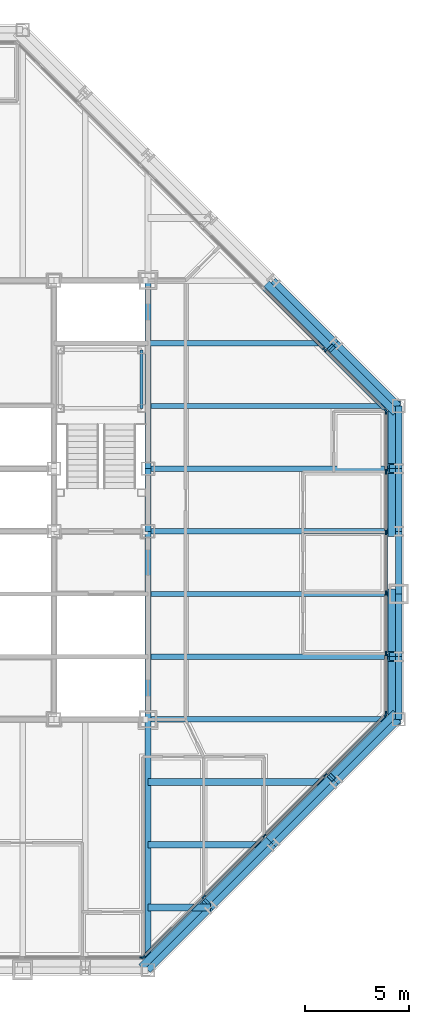
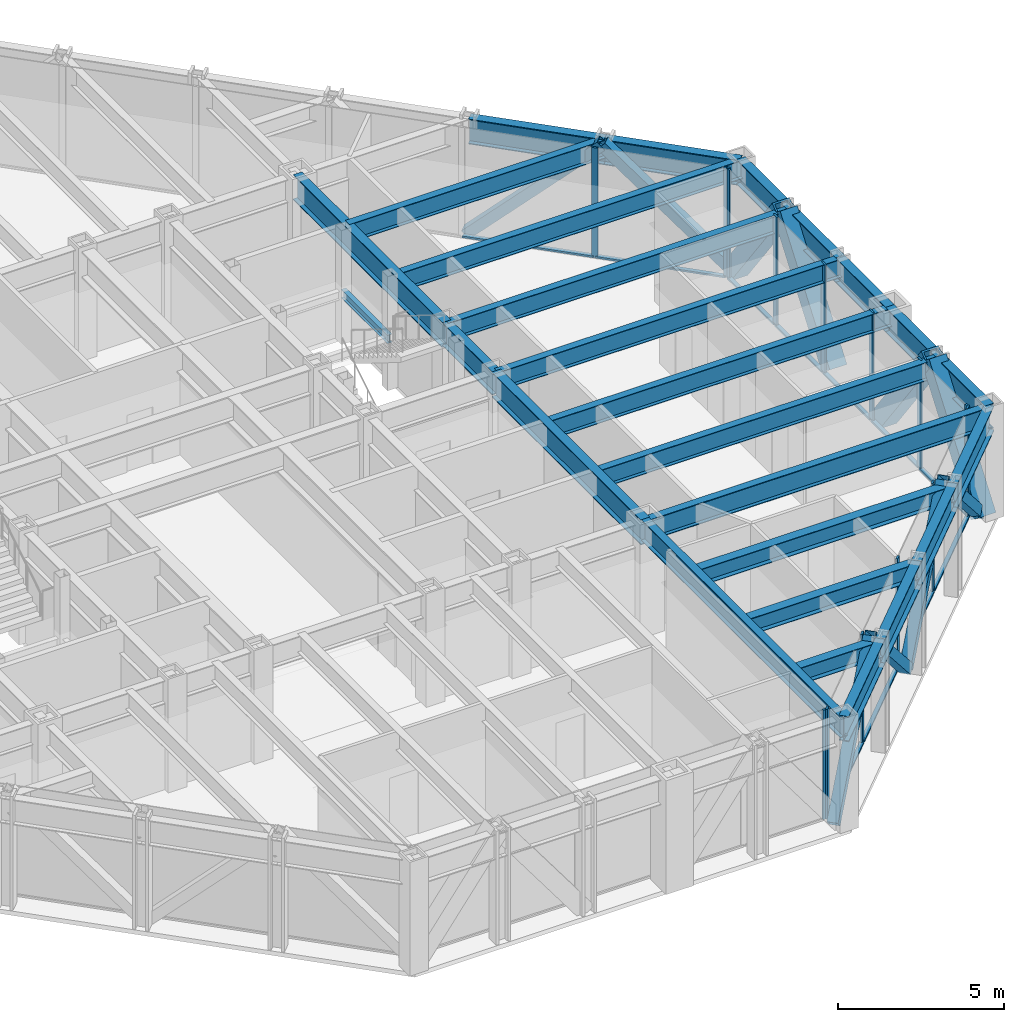
# One storey, part 7 of 16: 35 members, 26 beams, 4 elements without a shape of their own.
"""IFC4 building model written with IfcOpenShell, lengths in metres."""

from ifc_helpers import new_model, si_unit, direction, frame, origin, origin_2d, place, context, subcontext, project, spatial, rectangle, hollow_rectangle, i_section, extrude, material, layer, layer_set, material_profile, profile_set, type_object, element, aggregate, save


model = new_model("IFC4")

# Units and contexts
model_context = context("Model", 3, precision=1e-05, world=origin(), true_north=direction((0.0, 1.0)))
body_context = subcontext(model_context, "Body", "Model", "MODEL_VIEW")
ifc_project = project(units=[si_unit("LENGTHUNIT", "METRE"), si_unit("AREAUNIT", "SQUARE_METRE"), si_unit("VOLUMEUNIT", "CUBIC_METRE"), si_unit("PLANEANGLEUNIT", "RADIAN"), si_unit("MASSUNIT", "GRAM", prefix="KILO")], contexts=[model_context])

# Site, building, storey
site_placement = place(None, origin())
site = spatial("IfcSite", under=ifc_project, at=site_placement, CompositionType="ELEMENT")
building_placement = place(site_placement, origin())
building = spatial("IfcBuilding", under=site, at=building_placement, Name="Chuquiago Exchange Tower", CompositionType="ELEMENT")
storey_placement = place(building_placement, frame((0.0, 0.0, 209.699951171875)))
storey = spatial("IfcBuildingStorey", under=building, at=storey_placement, Name="L46", CompositionType="ELEMENT", Elevation=209.699951171875)

# Beams
ifc_material_1 = material(Name="Steel ASTM A992", Category="steel")
ifc_material_profile_1 = material_profile(ifc_material_1, i_section(OverallWidth=0.25390625, OverallDepth=0.683349609375, WebThickness=0.012451171875, FlangeThickness=0.018798828125, at=origin_2d()), Name="W27X94")
ifc_profile_set_1 = profile_set([ifc_material_profile_1], Name="Steel ASTM A992")
beam_type_1 = type_object("IfcBeamType", Name="B1 W27X94", PredefinedType="BEAM", material=ifc_profile_set_1)
for number, where, z_axis, x_axis, name in (
    (1, (33.0, 15.0, 3.698486328125), (1.0, 0.0, 0.0), (0.0, 1.0, 0.0), "FB-L47-infill-33_15-45_15-0"),
    (2, (33.0, 18.0, 3.698486328125), (1.0, 0.0, 0.0), (0.0, 1.0, 0.0), "FB-L47-infill-33_18-45_18-0"),
    (3, (33.0, 21.0, 3.698486328125), (1.0, 0.0, 0.0), (0.0, 1.0, 0.0), "FB-L47-infill-33_21-45_21-0"),
    (4, (33.0, 24.0, 3.698486328125), (1.0, 0.0, 0.0), (0.0, 1.0, 0.0), "FB-L47-infill-33_24-45_24-0"),
    (5, (33.0, 27.0, 3.698486328125), (1.0, 0.0, 0.0), (0.0, 1.0, 0.0), "FB-L47-infill-33_27-45_27-0"),
):
    element("IfcBeam", number, at=place(storey_placement, frame(where, z_axis=z_axis, x_axis=x_axis)), inside=storey, type_object=beam_type_1, Name=name, PredefinedType="BEAM", context=body_context, shape_type="SweptSolid", body=[
        extrude(i_section(OverallWidth=0.25390625, OverallDepth=0.683349609375, WebThickness=0.012451171875, FlangeThickness=0.018798828125, at=origin_2d()), origin(), (0.0, 0.0, 1.0), 12.0),
    ])
beam_1_placement = place(storey_placement, frame((33.0, 30.0, 3.698486328125), z_axis=(1.0, 0.0, 0.0), x_axis=(0.0, 1.0, 0.0)))
element("IfcBeam", 6, at=beam_1_placement, inside=storey, type_object=beam_type_1, Name="FB-L47-infill-33_30-42_30-0", PredefinedType="BEAM", context=body_context, shape_type="SweptSolid", body=[
    extrude(i_section(OverallWidth=0.25390625, OverallDepth=0.683349609375, WebThickness=0.012451171875, FlangeThickness=0.018798828125, at=origin_2d()), origin(), (0.0, 0.0, 1.0), 9.0),
])
ifc_material_2 = material(Name="Steel ASTM A992", Category="steel")
ifc_material_profile_2 = material_profile(ifc_material_2, i_section(OverallWidth=0.307373046875, OverallDepth=0.927001953125, WebThickness=0.01953125, FlangeThickness=0.031982421875, at=origin_2d()), Name="W36X194")
ifc_profile_set_2 = profile_set([ifc_material_profile_2], Name="Steel ASTM A992")
beam_type_2 = type_object("IfcBeamType", Name="B10 W36X194", PredefinedType="BEAM", material=ifc_profile_set_2)
for number, where, z_axis, x_axis, name in (
    (7, (33.0, 12.0, 3.57666015625), (0.0, 1.0, 0.0), (-1.0, 0.0, 0.0), "CB-L47-33_12-33_21"),
    (8, (33.0, 24.0, 3.57666015625), (0.0, 1.0, 0.0), (-1.0, 0.0, 0.0), "CB-L47-33_24-33_33"),
):
    element("IfcBeam", number, at=place(storey_placement, frame(where, z_axis=z_axis, x_axis=x_axis)), inside=storey, type_object=beam_type_2, Name=name, PredefinedType="BEAM", context=body_context, shape_type="SweptSolid", body=[
        extrude(i_section(OverallWidth=0.307373046875, OverallDepth=0.927001953125, WebThickness=0.01953125, FlangeThickness=0.031982421875, at=origin_2d()), origin(), (0.0, 0.0, 1.0), 9.0),
    ])
ifc_material_3 = material(Name="Steel ASTM A992", Category="steel")
ifc_material_profile_3 = material_profile(ifc_material_3, i_section(OverallWidth=0.3251953125, OverallDepth=0.612060546875, WebThickness=0.0126953125, FlangeThickness=0.01904296875, at=origin_2d()), Name="W24X104")
ifc_profile_set_3 = profile_set([ifc_material_profile_3], Name="Steel ASTM A992")
beam_type_3 = type_object("IfcBeamType", Name="B2 W24X104", PredefinedType="BEAM", material=ifc_profile_set_3)
beam_2_placement = place(storey_placement, frame((33.0, 3.0, 3.73388671875), z_axis=(1.0, 0.0, 0.0), x_axis=(0.0, 1.0, 0.0)))
element("IfcBeam", 9, at=beam_2_placement, inside=storey, type_object=beam_type_3, Name="FB-L47-corner-33_3-36_3-0", PredefinedType="BEAM", context=body_context, shape_type="SweptSolid", body=[
    extrude(i_section(OverallWidth=0.3251953125, OverallDepth=0.612060546875, WebThickness=0.0126953125, FlangeThickness=0.01904296875, at=origin_2d()), origin(), (0.0, 0.0, 1.0), 3.0),
])
beam_3_placement = place(storey_placement, frame((33.0, 6.0, 3.73388671875), z_axis=(1.0, 0.0, 0.0), x_axis=(0.0, 1.0, 0.0)))
element("IfcBeam", 10, at=beam_3_placement, inside=storey, type_object=beam_type_3, Name="FB-L47-corner-33_6-39_6-0", PredefinedType="BEAM", context=body_context, shape_type="SweptSolid", body=[
    extrude(i_section(OverallWidth=0.3251953125, OverallDepth=0.612060546875, WebThickness=0.0126953125, FlangeThickness=0.01904296875, at=origin_2d()), origin(), (0.0, 0.0, 1.0), 6.0),
])
beam_4_placement = place(storey_placement, frame((33.0, 9.0, 3.73388671875), z_axis=(1.0, 0.0, 0.0), x_axis=(0.0, 1.0, 0.0)))
element("IfcBeam", 11, at=beam_4_placement, inside=storey, type_object=beam_type_3, Name="FB-L47-corner-33_9-42_9-0", PredefinedType="BEAM", context=body_context, shape_type="SweptSolid", body=[
    extrude(i_section(OverallWidth=0.3251953125, OverallDepth=0.612060546875, WebThickness=0.0126953125, FlangeThickness=0.01904296875, at=origin_2d()), origin(), (0.0, 0.0, 1.0), 9.0),
])
ifc_material_4 = material(Name="Steel ASTM A992", Category="steel")
ifc_material_profile_4 = material_profile(ifc_material_4, i_section(OverallWidth=0.2919921875, OverallDepth=0.8583984375, WebThickness=0.01708984375, FlangeThickness=0.031005859375, at=origin_2d()), Name="W33X169")
ifc_profile_set_4 = profile_set([ifc_material_profile_4], Name="Steel ASTM A992")
beam_type_4 = type_object("IfcBeamType", Name="B3 W33X169", PredefinedType="BEAM", material=ifc_profile_set_4)
beam_5_placement = place(storey_placement, frame((33.0, 21.0, 3.61083984375), z_axis=(0.0, 1.0, 0.0), x_axis=(-1.0, 0.0, 0.0)))
element("IfcBeam", 12, at=beam_5_placement, inside=storey, type_object=beam_type_4, Name="CB-L47-33_21-33_24", PredefinedType="BEAM", context=body_context, shape_type="SweptSolid", body=[
    extrude(i_section(OverallWidth=0.2919921875, OverallDepth=0.8583984375, WebThickness=0.01708984375, FlangeThickness=0.031005859375, at=origin_2d()), origin(), (0.0, 0.0, 1.0), 3.0),
])

# Curtain wall, member
ifc_material_5 = material(Name="Aluminium curtain wall system", Category="aluminium")
ifc_layer_1 = layer(ifc_material_5, 0.22509765625)
ifc_layer_set_1 = layer_set([ifc_layer_1], Name="CW2 office curtain wall")
curtain_wall_type_1 = type_object("IfcCurtainWallType", Name="CW2 office curtain wall", PredefinedType="NOTDEFINED", material=ifc_layer_set_1)
curtain_wall_1_placement = place(storey_placement, origin())
curtain_wall_1 = element("IfcCurtainWall", 13, at=curtain_wall_1_placement, inside=storey, type_object=curtain_wall_type_1, Name="CW2 curtain wall L46", PredefinedType="NOTDEFINED")
ifc_material_6 = material(Name="Aluminium mullion, pale anodised", Category="aluminium")
ifc_material_profile_5 = material_profile(ifc_material_6, rectangle(XDim=0.06494140625, YDim=0.22509765625, at=origin_2d()), Name="AL 65x225")
ifc_profile_set_5 = profile_set([ifc_material_profile_5], Name="Aluminium mullion, pale anodised")
member_type_1 = type_object("IfcMemberType", Name="CW2-M mullion 65x225", PredefinedType="MULLION", material=ifc_profile_set_5)
member_1_placement = place(storey_placement, frame((32.718994140625, 0.60009765625, 0.0), z_axis=(0.0, 0.0, 1.0), x_axis=(0.0, 1.0, 0.0)))
member_1 = element("IfcMember", 14, at=member_1_placement, type_object=member_type_1, Name="CW2 mullion 6", PredefinedType="MULLION", context=body_context, shape_type="SweptSolid", body=[
    extrude(rectangle(XDim=0.06494140625, YDim=0.22509765625, at=origin_2d()), origin(), (0.0, 0.0, 1.0), 4.0400390625),
])
aggregate(curtain_wall_1, [member_1])

# Curtain wall, members
curtain_wall_2_placement = place(storey_placement, origin())
curtain_wall_2 = element("IfcCurtainWall", 15, at=curtain_wall_2_placement, inside=storey, type_object=curtain_wall_type_1, Name="CW2 curtain wall L46", PredefinedType="NOTDEFINED")
member_2_placement = place(storey_placement, frame((44.39990234375, 12.281005859375, 0.0), z_axis=(0.0, 0.0, 1.0), x_axis=(-1.0, 0.0, 0.0)))
member_2 = element("IfcMember", 16, at=member_2_placement, type_object=member_type_1, Name="CW2 mullion 1", PredefinedType="MULLION", context=body_context, shape_type="SweptSolid", body=[
    extrude(rectangle(XDim=0.06494140625, YDim=0.22509765625, at=origin_2d()), origin(), (0.0, 0.0, 1.0), 4.0400390625),
])
member_3_placement = place(storey_placement, frame((44.39990234375, 15.149169921875, 0.0), z_axis=(0.0, 0.0, 1.0), x_axis=(-1.0, 0.0, 0.0)))
member_3 = element("IfcMember", 17, at=member_3_placement, type_object=member_type_1, Name="CW2 mullion 2", PredefinedType="MULLION", context=body_context, shape_type="SweptSolid", body=[
    extrude(rectangle(XDim=0.06494140625, YDim=0.22509765625, at=origin_2d()), origin(), (0.0, 0.0, 1.0), 4.0400390625),
])
member_4_placement = place(storey_placement, frame((44.39990234375, 18.0498046875, 0.0), z_axis=(0.0, 0.0, 1.0), x_axis=(-1.0, 0.0, 0.0)))
member_4 = element("IfcMember", 18, at=member_4_placement, type_object=member_type_1, Name="CW2 mullion 3", PredefinedType="MULLION", context=body_context, shape_type="SweptSolid", body=[
    extrude(rectangle(XDim=0.06494140625, YDim=0.22509765625, at=origin_2d()), origin(), (0.0, 0.0, 1.0), 4.0400390625),
])
member_5_placement = place(storey_placement, frame((44.39990234375, 20.9501953125, 0.0), z_axis=(0.0, 0.0, 1.0), x_axis=(-1.0, 0.0, 0.0)))
member_5 = element("IfcMember", 19, at=member_5_placement, type_object=member_type_1, Name="CW2 mullion 4", PredefinedType="MULLION", context=body_context, shape_type="SweptSolid", body=[
    extrude(rectangle(XDim=0.06494140625, YDim=0.22509765625, at=origin_2d()), origin(), (0.0, 0.0, 1.0), 4.0400390625),
])
member_6_placement = place(storey_placement, frame((44.39990234375, 23.850830078125, 0.0), z_axis=(0.0, 0.0, 1.0), x_axis=(-1.0, 0.0, 0.0)))
member_6 = element("IfcMember", 20, at=member_6_placement, type_object=member_type_1, Name="CW2 mullion 5", PredefinedType="MULLION", context=body_context, shape_type="SweptSolid", body=[
    extrude(rectangle(XDim=0.06494140625, YDim=0.22509765625, at=origin_2d()), origin(), (0.0, 0.0, 1.0), 4.0400390625),
])
member_7_placement = place(storey_placement, frame((44.39990234375, 26.718994140625, 0.0), z_axis=(0.0, 0.0, 1.0), x_axis=(-1.0, 0.0, 0.0)))
member_7 = element("IfcMember", 21, at=member_7_placement, type_object=member_type_1, Name="CW2 mullion 6", PredefinedType="MULLION", context=body_context, shape_type="SweptSolid", body=[
    extrude(rectangle(XDim=0.06494140625, YDim=0.22509765625, at=origin_2d()), origin(), (0.0, 0.0, 1.0), 4.0400390625),
])
ifc_material_7 = material(Name="Aluminium transom, pale anodised", Category="aluminium")
ifc_material_profile_6 = material_profile(ifc_material_7, rectangle(XDim=0.139892578125, YDim=0.06494140625, at=origin_2d()), Name="AL 140x65")
ifc_profile_set_6 = profile_set([ifc_material_profile_6], Name="Aluminium transom, pale anodised")
member_type_2 = type_object("IfcMemberType", Name="CW2-T transom 65x140", PredefinedType="MULLION", material=ifc_profile_set_6)
member_8_placement = place(storey_placement, frame((44.39990234375, 12.3134765625, 0.032470703125), z_axis=(0.0, 1.0, 0.0), x_axis=(-1.0, 0.0, 0.0)))
member_8 = element("IfcMember", 22, at=member_8_placement, type_object=member_type_2, Name="CW2 transom 1.1", PredefinedType="MULLION", context=body_context, shape_type="SweptSolid", body=[
    extrude(rectangle(XDim=0.139892578125, YDim=0.06494140625, at=origin_2d()), origin(), (0.0, 0.0, 1.0), 2.80322265625),
])
member_9_placement = place(storey_placement, frame((44.39990234375, 15.181640625, 0.032470703125), z_axis=(0.0, 1.0, 0.0), x_axis=(-1.0, 0.0, 0.0)))
member_9 = element("IfcMember", 23, at=member_9_placement, type_object=member_type_2, Name="CW2 transom 2.1", PredefinedType="MULLION", context=body_context, shape_type="SweptSolid", body=[
    extrude(rectangle(XDim=0.139892578125, YDim=0.06494140625, at=origin_2d()), origin(), (0.0, 0.0, 1.0), 2.83544921875),
])
member_10_placement = place(storey_placement, frame((44.39990234375, 18.082275390625, 0.032470703125), z_axis=(0.0, 1.0, 0.0), x_axis=(-1.0, 0.0, 0.0)))
member_10 = element("IfcMember", 24, at=member_10_placement, type_object=member_type_2, Name="CW2 transom 3.1", PredefinedType="MULLION", context=body_context, shape_type="SweptSolid", body=[
    extrude(rectangle(XDim=0.139892578125, YDim=0.06494140625, at=origin_2d()), origin(), (0.0, 0.0, 1.0), 2.83544921875),
])
member_11_placement = place(storey_placement, frame((44.39990234375, 20.98291015625, 0.032470703125), z_axis=(0.0, 1.0, 0.0), x_axis=(-1.0, 0.0, 0.0)))
member_11 = element("IfcMember", 25, at=member_11_placement, type_object=member_type_2, Name="CW2 transom 4.1", PredefinedType="MULLION", context=body_context, shape_type="SweptSolid", body=[
    extrude(rectangle(XDim=0.139892578125, YDim=0.06494140625, at=origin_2d()), origin(), (0.0, 0.0, 1.0), 2.83544921875),
])
member_12_placement = place(storey_placement, frame((44.39990234375, 23.88330078125, 0.032470703125), z_axis=(0.0, 1.0, 0.0), x_axis=(-1.0, 0.0, 0.0)))
member_12 = element("IfcMember", 26, at=member_12_placement, type_object=member_type_2, Name="CW2 transom 5.1", PredefinedType="MULLION", context=body_context, shape_type="SweptSolid", body=[
    extrude(rectangle(XDim=0.139892578125, YDim=0.06494140625, at=origin_2d()), origin(), (0.0, 0.0, 1.0), 2.80322265625),
])
aggregate(curtain_wall_2, [member_2, member_3, member_4, member_5, member_6, member_7, member_8, member_9, member_10, member_11, member_12])

ifc_material_8 = material(Name="Aluminium curtain wall system", Category="aluminium")
ifc_layer_2 = layer(ifc_material_8, 0.199951171875)
ifc_layer_set_2 = layer_set([ifc_layer_2], Name="CW3 facet curtain wall")
curtain_wall_type_2 = type_object("IfcCurtainWallType", Name="CW3 facet curtain wall", PredefinedType="NOTDEFINED", material=ifc_layer_set_2)
curtain_wall_3_placement = place(storey_placement, origin())
curtain_wall_3 = element("IfcCurtainWall", 27, at=curtain_wall_3_placement, inside=storey, type_object=curtain_wall_type_2, Name="CW3 curtain wall L46", PredefinedType="NOTDEFINED")
ifc_material_9 = material(Name="Aluminium mullion, pale anodised", Category="aluminium")
ifc_material_profile_7 = material_profile(ifc_material_9, rectangle(XDim=0.06494140625, YDim=0.199951171875, at=origin_2d()), Name="AL 65x200")
ifc_profile_set_7 = profile_set([ifc_material_profile_7], Name="Aluminium mullion, pale anodised")
member_type_3 = type_object("IfcMemberType", Name="CW3-M mullion 65x200", PredefinedType="MULLION", material=ifc_profile_set_7)
member_13_placement = place(storey_placement, frame((32.7744140625, 0.623046875, 0.0), z_axis=(0.0, 0.0, 1.0), x_axis=(-0.707106781187, 0.707106781187, 0.0)))
member_13 = element("IfcMember", 28, at=member_13_placement, type_object=member_type_3, Name="CW3 mullion 1", PredefinedType="MULLION", context=body_context, shape_type="SweptSolid", body=[
    extrude(rectangle(XDim=0.06494140625, YDim=0.199951171875, at=origin_2d()), origin(), (0.0, 0.0, 1.0), 4.0400390625),
])
member_14_placement = place(storey_placement, frame((35.66357421875, 3.51220703125, 0.0), z_axis=(0.0, 0.0, 1.0), x_axis=(-0.707106781187, 0.707106781187, 0.0)))
member_14 = element("IfcMember", 29, at=member_14_placement, type_object=member_type_3, Name="CW3 mullion 2", PredefinedType="MULLION", context=body_context, shape_type="SweptSolid", body=[
    extrude(rectangle(XDim=0.06494140625, YDim=0.199951171875, at=origin_2d()), origin(), (0.0, 0.0, 1.0), 4.0400390625),
])
member_15_placement = place(storey_placement, frame((38.57568359375, 6.42431640625, 0.0), z_axis=(0.0, 0.0, 1.0), x_axis=(-0.707106781187, 0.707106781187, 0.0)))
member_15 = element("IfcMember", 30, at=member_15_placement, type_object=member_type_3, Name="CW3 mullion 3", PredefinedType="MULLION", context=body_context, shape_type="SweptSolid", body=[
    extrude(rectangle(XDim=0.06494140625, YDim=0.199951171875, at=origin_2d()), origin(), (0.0, 0.0, 1.0), 4.0400390625),
])
member_16_placement = place(storey_placement, frame((41.48779296875, 9.33642578125, 0.0), z_axis=(0.0, 0.0, 1.0), x_axis=(-0.707106781187, 0.707106781187, 0.0)))
member_16 = element("IfcMember", 31, at=member_16_placement, type_object=member_type_3, Name="CW3 mullion 4", PredefinedType="MULLION", context=body_context, shape_type="SweptSolid", body=[
    extrude(rectangle(XDim=0.06494140625, YDim=0.199951171875, at=origin_2d()), origin(), (0.0, 0.0, 1.0), 4.0400390625),
])
member_17_placement = place(storey_placement, frame((44.376953125, 12.2255859375, 0.0), z_axis=(0.0, 0.0, 1.0), x_axis=(-0.707106781187, 0.707106781187, 0.0)))
member_17 = element("IfcMember", 32, at=member_17_placement, type_object=member_type_3, Name="CW3 mullion 5", PredefinedType="MULLION", context=body_context, shape_type="SweptSolid", body=[
    extrude(rectangle(XDim=0.06494140625, YDim=0.199951171875, at=origin_2d()), origin(), (0.0, 0.0, 1.0), 4.0400390625),
])

curtain_wall_4_placement = place(storey_placement, origin())
curtain_wall_4 = element("IfcCurtainWall", 33, at=curtain_wall_4_placement, inside=storey, type_object=curtain_wall_type_2, Name="CW3 curtain wall L46", PredefinedType="NOTDEFINED")
member_18_placement = place(storey_placement, frame((44.376953125, 26.7744140625, 0.0), z_axis=(0.0, 0.0, 1.0), x_axis=(-0.707106781187, -0.707106781187, 0.0)))
member_18 = element("IfcMember", 34, at=member_18_placement, type_object=member_type_3, Name="CW3 mullion 1", PredefinedType="MULLION", context=body_context, shape_type="SweptSolid", body=[
    extrude(rectangle(XDim=0.06494140625, YDim=0.199951171875, at=origin_2d()), origin(), (0.0, 0.0, 1.0), 4.0400390625),
])
member_19_placement = place(storey_placement, frame((41.45849609375, 29.69287109375, 0.0), z_axis=(0.0, 0.0, 1.0), x_axis=(-0.707106781187, -0.707106781187, 0.0)))
member_19 = element("IfcMember", 35, at=member_19_placement, type_object=member_type_3, Name="CW3 mullion 2", PredefinedType="MULLION", context=body_context, shape_type="SweptSolid", body=[
    extrude(rectangle(XDim=0.06494140625, YDim=0.199951171875, at=origin_2d()), origin(), (0.0, 0.0, 1.0), 4.0400390625),
])

# Member
ifc_material_10 = material(Name="Aluminium transom, pale anodised", Category="aluminium")
ifc_material_profile_8 = material_profile(ifc_material_10, rectangle(XDim=0.139892578125, YDim=0.06494140625, at=origin_2d()), Name="AL 140x65")
ifc_profile_set_8 = profile_set([ifc_material_profile_8], Name="Aluminium transom, pale anodised")
member_type_4 = type_object("IfcMemberType", Name="CW3-T transom 65x140", PredefinedType="MULLION", material=ifc_profile_set_8)
member_20_placement = place(storey_placement, frame((32.79736328125, 0.64599609375, 0.032470703125), z_axis=(0.707106781187, 0.707106781187, 0.0), x_axis=(-0.707106781187, 0.707106781187, 0.0)))
member_20 = element("IfcMember", 36, at=member_20_placement, type_object=member_type_4, Name="CW3 transom 1.1", PredefinedType="MULLION", context=body_context, shape_type="SweptSolid", body=[
    extrude(rectangle(XDim=0.139892578125, YDim=0.06494140625, at=origin_2d()), origin(), (0.0, 0.0, 1.0), 4.02099609375),
])

member_21_placement = place(storey_placement, frame((35.6865234375, 3.53515625, 0.032470703125), z_axis=(0.707106781187, 0.707106781187, 0.0), x_axis=(-0.707106781187, 0.707106781187, 0.0)))
member_21 = element("IfcMember", 37, at=member_21_placement, type_object=member_type_4, Name="CW3 transom 2.1", PredefinedType="MULLION", context=body_context, shape_type="SweptSolid", body=[
    extrude(rectangle(XDim=0.139892578125, YDim=0.06494140625, at=origin_2d()), origin(), (0.0, 0.0, 1.0), 4.053466796875),
])

member_22_placement = place(storey_placement, frame((38.5986328125, 6.447265625, 0.032470703125), z_axis=(0.707106781187, 0.707106781187, 0.0), x_axis=(-0.707106781187, 0.707106781187, 0.0)))
member_22 = element("IfcMember", 38, at=member_22_placement, type_object=member_type_4, Name="CW3 transom 3.1", PredefinedType="MULLION", context=body_context, shape_type="SweptSolid", body=[
    extrude(rectangle(XDim=0.139892578125, YDim=0.06494140625, at=origin_2d()), origin(), (0.0, 0.0, 1.0), 4.053466796875),
])

member_23_placement = place(storey_placement, frame((41.5107421875, 9.359375, 0.032470703125), z_axis=(0.707106781187, 0.707106781187, 0.0), x_axis=(-0.707106781187, 0.707106781187, 0.0)))
member_23 = element("IfcMember", 39, at=member_23_placement, type_object=member_type_4, Name="CW3 transom 4.1", PredefinedType="MULLION", context=body_context, shape_type="SweptSolid", body=[
    extrude(rectangle(XDim=0.139892578125, YDim=0.06494140625, at=origin_2d()), origin(), (0.0, 0.0, 1.0), 4.02099609375),
])

aggregate(curtain_wall_3, [member_13, member_14, member_15, member_16, member_17, member_20, member_21, member_22, member_23])

member_24_placement = place(storey_placement, frame((44.35400390625, 26.79736328125, 0.032470703125), z_axis=(-0.707106781187, 0.707106781187, 0.0), x_axis=(-0.707106781187, -0.707106781187, 0.0)))
member_24 = element("IfcMember", 40, at=member_24_placement, type_object=member_type_4, Name="CW3 transom 1.1", PredefinedType="MULLION", context=body_context, shape_type="SweptSolid", body=[
    extrude(rectangle(XDim=0.139892578125, YDim=0.06494140625, at=origin_2d()), origin(), (0.0, 0.0, 1.0), 4.0625),
])

member_25_placement = place(storey_placement, frame((41.435546875, 29.7158203125, 0.032470703125), z_axis=(-0.707106781187, 0.707106781187, 0.0), x_axis=(-0.707106781187, -0.707106781187, 0.0)))
member_25 = element("IfcMember", 41, at=member_25_placement, type_object=member_type_4, Name="CW3 transom 2.1", PredefinedType="MULLION", context=body_context, shape_type="SweptSolid", body=[
    extrude(rectangle(XDim=0.139892578125, YDim=0.06494140625, at=origin_2d()), origin(), (0.0, 0.0, 1.0), 4.094970703125),
])

aggregate(curtain_wall_4, [member_18, member_19, member_24, member_25])

# Beams
ifc_material_11 = material(Name="Steel ASTM A992", Category="steel")
ifc_material_profile_9 = material_profile(ifc_material_11, i_section(OverallWidth=0.2666015625, OverallDepth=0.76953125, WebThickness=0.015625, FlangeThickness=0.025390625, at=origin_2d()), Name="W30X132")
ifc_profile_set_9 = profile_set([ifc_material_profile_9], Name="Steel ASTM A992")
beam_type_5 = type_object("IfcBeamType", Name="G1 W30X132", PredefinedType="BEAM", material=ifc_profile_set_9)
for number, where, z_axis, x_axis, name in (
    (42, (33.0, 12.0, 3.6552734375), (0.0, -1.0, 0.0), (1.0, 0.0, 0.0), "FB-L47-girder-33_12-33_-0-0"),
    (43, (33.0, 12.0, 3.6552734375), (1.0, 0.0, 0.0), (0.0, 1.0, 0.0), "FB-L47-girder-33_12-45_12-0"),
):
    element("IfcBeam", number, at=place(storey_placement, frame(where, z_axis=z_axis, x_axis=x_axis)), inside=storey, type_object=beam_type_5, Name=name, PredefinedType="BEAM", context=body_context, shape_type="SweptSolid", body=[
        extrude(i_section(OverallWidth=0.2666015625, OverallDepth=0.76953125, WebThickness=0.015625, FlangeThickness=0.025390625, at=origin_2d()), origin(), (0.0, 0.0, 1.0), 12.0),
    ])

# Members
ifc_material_12 = material(Name="Steel ASTM A500 Grade C", Category="steel")
ifc_material_profile_10 = material_profile(ifc_material_12, hollow_rectangle(XDim=0.355712890625, YDim=0.355712890625, WallThickness=0.0146484375, at=origin_2d()), Name="HSS14X14X5/8")
ifc_profile_set_10 = profile_set([ifc_material_profile_10], Name="Steel ASTM A500 Grade C")
member_type_5 = type_object("IfcMemberType", Name="LB2 HSS14X14X5/8", PredefinedType="BRACE", material=ifc_profile_set_10)
for number, where, z_axis, x_axis, name in (
    (44, (32.7685546875, 0.2314453125, 0.0), (0.512077265487, 0.512077265487, 0.689604051861), (-0.707106781187, 0.707106781187, 0.0), "LB-L46-33_0-36_3"),
    (45, (38.7685546875, 6.2314453125, 0.0), (-0.512077265487, -0.512077265487, 0.689604051861), (0.707106781187, -0.707106781187, 0.0), "LB-L46-36_3-39_6"),
    (46, (38.7685546875, 6.2314453125, 0.0), (0.512077265487, 0.512077265487, 0.689604051861), (-0.707106781187, 0.707106781187, 0.0), "LB-L46-39_6-42_9"),
    (47, (44.7685546875, 12.2314453125, 0.0), (-0.512077265487, -0.512077265487, 0.689604051861), (0.707106781187, -0.707106781187, 0.0), "LB-L46-42_9-45_12"),
    (48, (44.7685546875, 26.7685546875, 0.0), (-0.512077265487, 0.512077265487, 0.689604051861), (-0.707106781187, -0.707106781187, 0.0), "LB-L46-45_27-42_30"),
    (49, (38.7685546875, 32.7685546875, 0.0), (0.512077265487, -0.512077265487, 0.689604051861), (0.707106781187, 0.707106781187, 0.0), "LB-L46-42_30-39_33"),
):
    element("IfcMember", number, at=place(storey_placement, frame(where, z_axis=z_axis, x_axis=x_axis)), inside=storey, type_object=member_type_5, Name=name, PredefinedType="BRACE", context=body_context, shape_type="SweptSolid", body=[
        extrude(hollow_rectangle(XDim=0.355712890625, YDim=0.355712890625, WallThickness=0.0146484375, at=origin_2d()), origin(), (0.0, 0.0, 1.0), 5.8583984375),
    ])

# Beam
ifc_material_13 = material(Name="Steel ASTM A992", Category="steel")
ifc_material_profile_11 = material_profile(ifc_material_13, i_section(OverallWidth=0.164794921875, OverallDepth=0.309814453125, WebThickness=0.005859375, FlangeThickness=0.009765625, at=origin_2d()), Name="W12X26")
ifc_profile_set_11 = profile_set([ifc_material_profile_11], Name="Steel ASTM A992")
beam_type_6 = type_object("IfcBeamType", Name="LS1 W12X26", PredefinedType="BEAM", material=ifc_profile_set_11)
beam_6_placement = place(storey_placement, frame((32.68994140625, 26.889892578125, 1.7451171875), z_axis=(0.0, 1.0, 0.0), x_axis=(-1.0, 0.0, 0.0)))
element("IfcBeam", 50, at=beam_6_placement, inside=storey, type_object=beam_type_6, Name="Stair ST2 L46 landing 1 stringer", PredefinedType="BEAM", context=body_context, shape_type="SweptSolid", body=[
    extrude(i_section(OverallWidth=0.164794921875, OverallDepth=0.309814453125, WebThickness=0.005859375, FlangeThickness=0.009765625, at=origin_2d()), origin(), (0.0, 0.0, 1.0), 2.800048828125),
])

# Members
ifc_material_14 = material(Name="Steel ASTM A572 Grade 50", Category="steel")
ifc_material_profile_12 = material_profile(ifc_material_14, hollow_rectangle(XDim=0.60009765625, YDim=0.60009765625, WallThickness=0.06005859375, at=origin_2d()), Name="BOX600X600X60")
ifc_profile_set_12 = profile_set([ifc_material_profile_12], Name="Steel ASTM A572 Grade 50")
member_type_6 = type_object("IfcMemberType", Name="MB3 BOX600X600X60", PredefinedType="BRACE", material=ifc_profile_set_12)
for number, where, z_axis, x_axis, name in (
    (51, (44.794921875, 12.0, 0.0), (0.0, 0.596173923302, 0.802855312728), (-1.0, 0.0, 0.0), "Mega diagonal L46 E face"),
    (52, (44.794921875, 18.0, 0.0), (0.0, -0.596173923302, 0.802855312728), (1.0, 0.0, 0.0), "Mega diagonal L46 E face"),
    (53, (44.794921875, 21.0, 0.0), (0.0, 0.596173923302, 0.802855312728), (-1.0, 0.0, 0.0), "Mega diagonal L46 E face"),
    (54, (44.794921875, 27.0, 0.0), (0.0, -0.596173923302, 0.802855312728), (1.0, 0.0, 0.0), "Mega diagonal L46 E face"),
):
    element("IfcMember", number, at=place(storey_placement, frame(where, z_axis=z_axis, x_axis=x_axis)), inside=storey, type_object=member_type_6, Name=name, PredefinedType="BRACE", context=body_context, shape_type="SweptSolid", body=[
        extrude(hollow_rectangle(XDim=0.60009765625, YDim=0.60009765625, WallThickness=0.06005859375, at=origin_2d()), origin(), (0.0, 0.0, 1.0), 5.031982421875),
    ])

# Beams
ifc_material_15 = material(Name="Steel ASTM A992", Category="steel")
ifc_material_profile_13 = material_profile(ifc_material_15, i_section(OverallWidth=0.307373046875, OverallDepth=0.927001953125, WebThickness=0.01953125, FlangeThickness=0.031982421875, at=origin_2d()), Name="W36X194")
ifc_profile_set_13 = profile_set([ifc_material_profile_13], Name="Steel ASTM A992")
beam_type_7 = type_object("IfcBeamType", Name="SP3 W36X194", PredefinedType="SPANDREL", material=ifc_profile_set_13)
for number, where, z_axis, x_axis, name in (
    (55, (33.0, 0.0, 3.57666015625), (0.707106781187, 0.707106781187, 0.0), (-0.707106781187, 0.707106781187, 0.0), "SPB-L47-33_0-36_3"),
    (56, (36.0, 3.0, 3.57666015625), (0.707106781187, 0.707106781187, 0.0), (-0.707106781187, 0.707106781187, 0.0), "SPB-L47-36_3-39_6"),
    (57, (39.0, 6.0, 3.57666015625), (0.707106781187, 0.707106781187, 0.0), (-0.707106781187, 0.707106781187, 0.0), "SPB-L47-39_6-42_9"),
    (58, (42.0, 9.0, 3.57666015625), (0.707106781187, 0.707106781187, 0.0), (-0.707106781187, 0.707106781187, 0.0), "SPB-L47-42_9-45_12"),
):
    element("IfcBeam", number, at=place(storey_placement, frame(where, z_axis=z_axis, x_axis=x_axis)), inside=storey, type_object=beam_type_7, Name=name, PredefinedType="SPANDREL", context=body_context, shape_type="SweptSolid", body=[
        extrude(i_section(OverallWidth=0.307373046875, OverallDepth=0.927001953125, WebThickness=0.01953125, FlangeThickness=0.031982421875, at=origin_2d()), origin(), (0.0, 0.0, 1.0), 4.24267578125),
    ])
for number, where, z_axis, x_axis, name in (
    (59, (45.0, 12.0, 3.57666015625), (0.0, 1.0, 0.0), (-1.0, 0.0, 0.0), "SPB-L47-45_12-45_15"),
    (60, (45.0, 15.0, 3.57666015625), (0.0, 1.0, 0.0), (-1.0, 0.0, 0.0), "SPB-L47-45_15-45_18"),
    (61, (45.0, 18.0, 3.57666015625), (0.0, 1.0, 0.0), (-1.0, 0.0, 0.0), "SPB-L47-45_18-45_21"),
    (62, (45.0, 21.0, 3.57666015625), (0.0, 1.0, 0.0), (-1.0, 0.0, 0.0), "SPB-L47-45_21-45_24"),
    (63, (45.0, 24.0, 3.57666015625), (0.0, 1.0, 0.0), (-1.0, 0.0, 0.0), "SPB-L47-45_24-45_27"),
):
    element("IfcBeam", number, at=place(storey_placement, frame(where, z_axis=z_axis, x_axis=x_axis)), inside=storey, type_object=beam_type_7, Name=name, PredefinedType="SPANDREL", context=body_context, shape_type="SweptSolid", body=[
        extrude(i_section(OverallWidth=0.307373046875, OverallDepth=0.927001953125, WebThickness=0.01953125, FlangeThickness=0.031982421875, at=origin_2d()), origin(), (0.0, 0.0, 1.0), 3.0),
    ])
for number, where, z_axis, x_axis, name in (
    (64, (45.0, 27.0, 3.57666015625), (-0.707106781187, 0.707106781187, 0.0), (-0.707106781187, -0.707106781187, 0.0), "SPB-L47-45_27-42_30"),
    (65, (42.0, 30.0, 3.57666015625), (-0.707106781187, 0.707106781187, 0.0), (-0.707106781187, -0.707106781187, 0.0), "SPB-L47-42_30-39_33"),
):
    element("IfcBeam", number, at=place(storey_placement, frame(where, z_axis=z_axis, x_axis=x_axis)), inside=storey, type_object=beam_type_7, Name=name, PredefinedType="SPANDREL", context=body_context, shape_type="SweptSolid", body=[
        extrude(i_section(OverallWidth=0.307373046875, OverallDepth=0.927001953125, WebThickness=0.01953125, FlangeThickness=0.031982421875, at=origin_2d()), origin(), (0.0, 0.0, 1.0), 4.24267578125),
    ])

save(model, "model.ifc")
